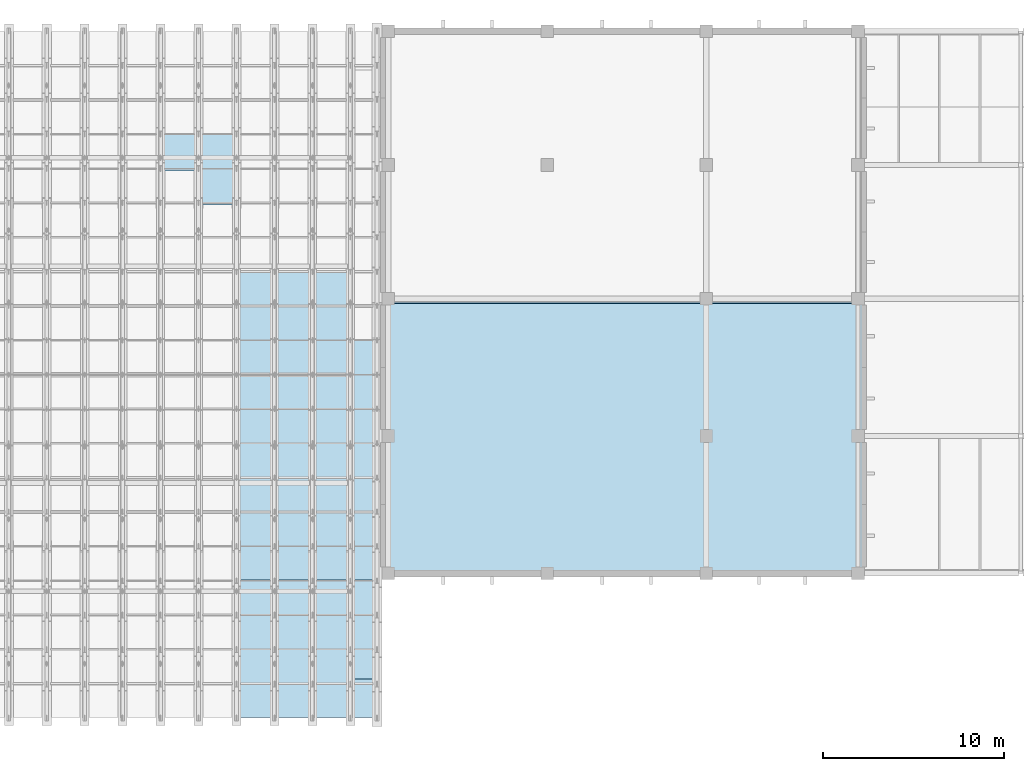
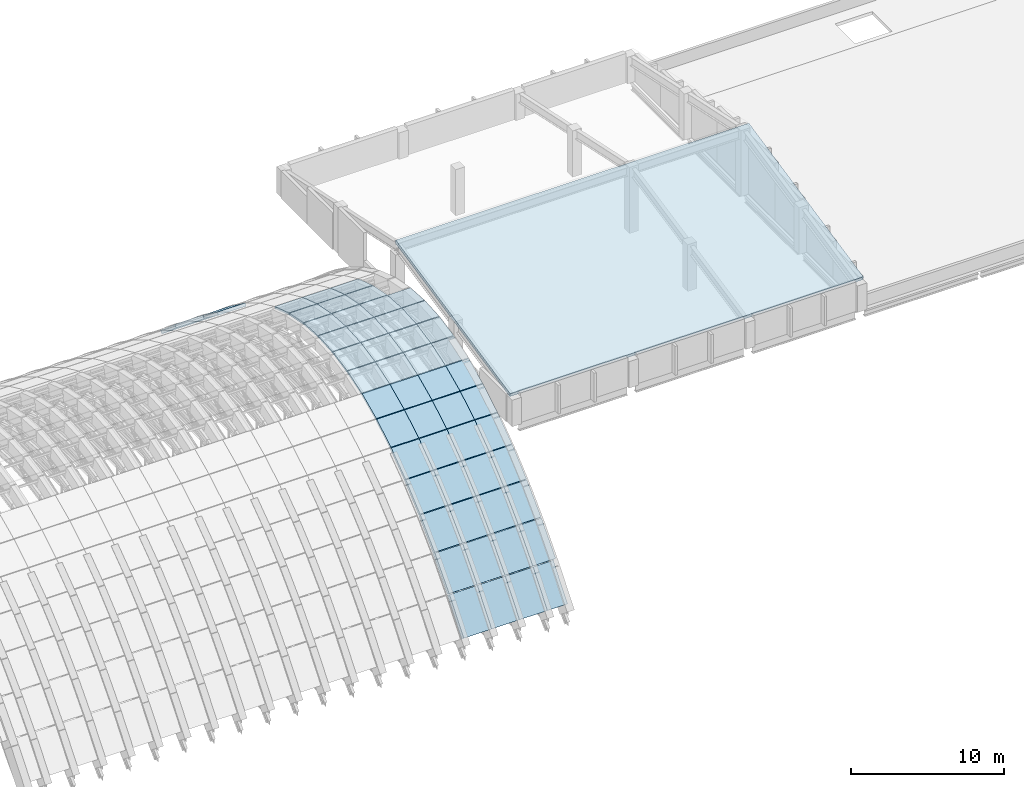
# One storey, part 55 of 67: 53 plates, 1 slab, 1 element without a shape of its own.
"""IFC4 building model written with IfcOpenShell, lengths in metres."""

from ifc_helpers import new_model, si_unit, direction, frame, origin, place, context, subcontext, project, spatial, polyline, outline, extrude, material, layer, layer_set, type_object, element, aggregate, save


model = new_model("IFC4")

# Units and contexts
model_context = context("Model", 3, precision=1e-05, world=origin(), true_north=direction((0.0, 1.0)))
body_context = subcontext(model_context, "Body", "Model", "MODEL_VIEW")
ifc_project = project(units=[si_unit("LENGTHUNIT", "METRE"), si_unit("AREAUNIT", "SQUARE_METRE"), si_unit("VOLUMEUNIT", "CUBIC_METRE"), si_unit("PLANEANGLEUNIT", "RADIAN"), si_unit("MASSUNIT", "GRAM", prefix="KILO")], contexts=[model_context])

# Site, building, storey
site_placement = place(None, origin())
site = spatial("IfcSite", under=ifc_project, at=site_placement, CompositionType="ELEMENT")
building_placement = place(site_placement, origin())
building = spatial("IfcBuilding", under=site, at=building_placement, Name="Shengluoqiao Park Theatre", CompositionType="ELEMENT")
storey_placement = place(building_placement, frame((0.0, 0.0, 28.60009765625)))
storey = spatial("IfcBuildingStorey", under=building, at=storey_placement, Name="Roof", CompositionType="ELEMENT", Elevation=28.60009765625)

# Roof, plates
ifc_material = material(Name="Concrete C50", Category="concrete")
roof_type = type_object("IfcRoofType", Name="STR-ROOF-BARREL", PredefinedType="BARREL_ROOF", material=ifc_material)
roof_placement = place(storey_placement, origin())
roof = element("IfcRoof", 1, at=roof_placement, inside=storey, type_object=roof_type, Name="Main Theatre Barrel-Vault Thin-Shell Roof", PredefinedType="BARREL_ROOF")
ifc_layer_1 = layer(ifc_material, 0.340087890625, Name="Concrete C50")
ifc_layer_set_1 = layer_set([ifc_layer_1], Name="Concrete C50")
plate_type_1 = type_object("IfcPlateType", Name="STR-SHP-SP-01", PredefinedType="USERDEFINED", material=ifc_layer_set_1)
plate_1_placement = place(storey_placement, frame((78.0, 76.01806640625, -9.376220703125), z_axis=(0.0, -0.783285756394, 0.621661824331), x_axis=(1.0, 0.0, 0.0)))
plate_1 = element("IfcPlate", 2, at=plate_1_placement, type_object=plate_type_1, Name="Barrel-Vault Shell Panel B17-S01", ObjectType="SHELL PANEL", PredefinedType="USERDEFINED", context=body_context, shape_type="SweptSolid", body=[
    extrude(outline(polyline([(0.0, 0.0), (2.10009765625, 0.0), (2.10009765625, 2.998436768866167), (0.0, 2.998436768866167), (0.0, 0.0)])), origin(), (0.0, 0.0, -1.0), 0.340087890625),
])
plate_2_placement = place(storey_placement, frame((80.10009765625, 76.01806640625, -9.376220703125), z_axis=(0.0, -0.783285756394, 0.621661824331), x_axis=(1.0, 0.0, 0.0)))
plate_2 = element("IfcPlate", 3, at=plate_2_placement, type_object=plate_type_1, Name="Barrel-Vault Shell Panel B18-S01", ObjectType="SHELL PANEL", PredefinedType="USERDEFINED", context=body_context, shape_type="SweptSolid", body=[
    extrude(outline(polyline([(0.0, 0.0), (2.099853515625, 0.0), (2.099853515625, 2.9984367688661675), (0.0, 2.9984367688661675), (0.0, 0.0)])), origin(), (0.0, 0.0, -1.0), 0.340087890625),
])
plate_3_placement = place(storey_placement, frame((82.199951171875, 76.01806640625, -9.376220703125), z_axis=(0.0, -0.783285756394, 0.621661824331), x_axis=(1.0, 0.0, 0.0)))
plate_3 = element("IfcPlate", 4, at=plate_3_placement, type_object=plate_type_1, Name="Barrel-Vault Shell Panel B19-S01", ObjectType="SHELL PANEL", PredefinedType="USERDEFINED", context=body_context, shape_type="SweptSolid", body=[
    extrude(outline(polyline([(0.0, 0.0), (2.10009765625, 0.0), (2.10009765625, 2.998436768866167), (0.0, 2.998436768866167), (0.0, 0.0)])), origin(), (0.0, 0.0, -1.0), 0.340087890625),
])
plate_4_placement = place(storey_placement, frame((84.300048828125, 76.01806640625, -9.376220703125), z_axis=(0.0, -0.783285756394, 0.621661824331), x_axis=(1.0, 0.0, 0.0)))
plate_4 = element("IfcPlate", 5, at=plate_4_placement, type_object=plate_type_1, Name="Barrel-Vault Shell Panel B20-S01", ObjectType="SHELL PANEL", PredefinedType="USERDEFINED", context=body_context, shape_type="SweptSolid", body=[
    extrude(outline(polyline([(0.0, 0.0), (1.52001953125, 0.0), (1.52001953125, 2.998436768866167), (0.0, 2.998436768866167), (0.0, 0.0)])), origin(), (0.0, 0.0, -1.0), 0.340087890625),
])
ifc_layer_2 = layer(ifc_material, 0.31005859375, Name="Concrete C50")
ifc_layer_set_2 = layer_set([ifc_layer_2], Name="Concrete C50")
plate_type_2 = type_object("IfcPlateType", Name="STR-SHP-SP-02", PredefinedType="USERDEFINED", material=ifc_layer_set_2)
plate_5_placement = place(storey_placement, frame((78.0, 77.91796875, -6.984619140625), z_axis=(0.0, -0.7480850773, 0.663602830857), x_axis=(1.0, 0.0, 0.0)))
plate_5 = element("IfcPlate", 6, at=plate_5_placement, type_object=plate_type_2, Name="Barrel-Vault Shell Panel B17-S02", ObjectType="SHELL PANEL", PredefinedType="USERDEFINED", context=body_context, shape_type="SweptSolid", body=[
    extrude(outline(polyline([(0.0, 0.0), (2.10009765625, 0.0), (2.10009765625, 2.808929656716836), (0.0, 2.808929656716836), (0.0, 0.0)])), origin(), (0.0, 0.0, -1.0), 0.31005859375),
])
plate_6_placement = place(storey_placement, frame((80.10009765625, 77.91796875, -6.984619140625), z_axis=(0.0, -0.7480850773, 0.663602830857), x_axis=(1.0, 0.0, 0.0)))
plate_6 = element("IfcPlate", 7, at=plate_6_placement, type_object=plate_type_2, Name="Barrel-Vault Shell Panel B18-S02", ObjectType="SHELL PANEL", PredefinedType="USERDEFINED", context=body_context, shape_type="SweptSolid", body=[
    extrude(outline(polyline([(0.0, 0.0), (2.099853515625, 0.0), (2.099853515625, 2.8089296567168356), (0.0, 2.8089296567168356), (0.0, 0.0)])), origin(), (0.0, 0.0, -1.0), 0.31005859375),
])
plate_7_placement = place(storey_placement, frame((82.199951171875, 77.91796875, -6.984619140625), z_axis=(0.0, -0.7480850773, 0.663602830857), x_axis=(1.0, 0.0, 0.0)))
plate_7 = element("IfcPlate", 8, at=plate_7_placement, type_object=plate_type_2, Name="Barrel-Vault Shell Panel B19-S02", ObjectType="SHELL PANEL", PredefinedType="USERDEFINED", context=body_context, shape_type="SweptSolid", body=[
    extrude(outline(polyline([(0.0, 0.0), (2.10009765625, 0.0), (2.10009765625, 2.808929656716836), (0.0, 2.808929656716836), (0.0, 0.0)])), origin(), (0.0, 0.0, -1.0), 0.31005859375),
])
plate_8_placement = place(storey_placement, frame((84.300048828125, 77.91796875, -6.984619140625), z_axis=(0.0, -0.7480850773, 0.663602830857), x_axis=(1.0, 0.0, 0.0)))
plate_8 = element("IfcPlate", 9, at=plate_8_placement, type_object=plate_type_2, Name="Barrel-Vault Shell Panel B20-S02", ObjectType="SHELL PANEL", PredefinedType="USERDEFINED", context=body_context, shape_type="SweptSolid", body=[
    extrude(outline(polyline([(0.0, 0.0), (1.719970703125, 0.0), (1.719970703125, 2.8089296567168365), (0.0, 2.8089296567168365), (0.0, 0.0)])), origin(), (0.0, 0.0, -1.0), 0.31005859375),
])
ifc_layer_3 = layer(ifc_material, 0.280029296875, Name="Concrete C50")
ifc_layer_set_3 = layer_set([ifc_layer_3], Name="Concrete C50")
plate_type_3 = type_object("IfcPlateType", Name="STR-SHP-SP-03", PredefinedType="USERDEFINED", material=ifc_layer_set_3)
plate_9_placement = place(storey_placement, frame((78.0, 79.818115234375, -4.844970703125), z_axis=(0.0, -0.705293636194, 0.708915288835), x_axis=(1.0, 0.0, 0.0)))
plate_9 = element("IfcPlate", 10, at=plate_9_placement, type_object=plate_type_3, Name="Barrel-Vault Shell Panel B17-S03", ObjectType="SHELL PANEL", PredefinedType="USERDEFINED", context=body_context, shape_type="SweptSolid", body=[
    extrude(outline(polyline([(0.0, 0.0), (2.10009765625, 0.0), (2.10009765625, 2.629044062954365), (0.0, 2.629044062954365), (0.0, 0.0)])), origin(), (0.0, 0.0, -1.0), 0.280029296875),
])
plate_10_placement = place(storey_placement, frame((80.10009765625, 79.818115234375, -4.844970703125), z_axis=(0.0, -0.705293636194, 0.708915288835), x_axis=(1.0, 0.0, 0.0)))
plate_10 = element("IfcPlate", 11, at=plate_10_placement, type_object=plate_type_3, Name="Barrel-Vault Shell Panel B18-S03", ObjectType="SHELL PANEL", PredefinedType="USERDEFINED", context=body_context, shape_type="SweptSolid", body=[
    extrude(outline(polyline([(0.0, 0.0), (2.099853515625, 0.0), (2.099853515625, 2.629044062954365), (0.0, 2.629044062954365), (0.0, 0.0)])), origin(), (0.0, 0.0, -1.0), 0.280029296875),
])
plate_11_placement = place(storey_placement, frame((82.199951171875, 79.818115234375, -4.844970703125), z_axis=(0.0, -0.705293636194, 0.708915288835), x_axis=(1.0, 0.0, 0.0)))
plate_11 = element("IfcPlate", 12, at=plate_11_placement, type_object=plate_type_3, Name="Barrel-Vault Shell Panel B19-S03", ObjectType="SHELL PANEL", PredefinedType="USERDEFINED", context=body_context, shape_type="SweptSolid", body=[
    extrude(outline(polyline([(0.0, 0.0), (2.10009765625, 0.0), (2.10009765625, 2.629044062954365), (0.0, 2.629044062954365), (0.0, 0.0)])), origin(), (0.0, 0.0, -1.0), 0.280029296875),
])
plate_12_placement = place(storey_placement, frame((84.300048828125, 79.818115234375, -4.844970703125), z_axis=(0.0, -0.705293636194, 0.708915288835), x_axis=(1.0, 0.0, 0.0)))
plate_12 = element("IfcPlate", 13, at=plate_12_placement, type_object=plate_type_3, Name="Barrel-Vault Shell Panel B20-S03", ObjectType="SHELL PANEL", PredefinedType="USERDEFINED", context=body_context, shape_type="SweptSolid", body=[
    extrude(outline(polyline([(0.0, 0.0), (1.719970703125, 0.0), (1.719970703125, 2.6290440629543657), (0.0, 2.6290440629543657), (0.0, 0.0)])), origin(), (0.0, 0.0, -1.0), 0.280029296875),
])
ifc_layer_4 = layer(ifc_material, 0.25, Name="Concrete C50")
ifc_layer_set_4 = layer_set([ifc_layer_4], Name="Concrete C50")
plate_type_4 = type_object("IfcPlateType", Name="STR-SHP-SP-04", PredefinedType="USERDEFINED", material=ifc_layer_set_4)
plate_13_placement = place(storey_placement, frame((73.800048828125, 106.41796875, -1.350341796875), z_axis=(0.0, 0.653002411915, 0.757355827886), x_axis=(1.0, 0.0, 0.0)))
plate_13 = element("IfcPlate", 14, at=plate_13_placement, type_object=plate_type_4, Name="Barrel-Vault Shell Panel B15-S17", ObjectType="SHELL PANEL", PredefinedType="USERDEFINED", context=body_context, shape_type="SweptSolid", body=[
    extrude(outline(polyline([(0.0, 0.0), (2.099853515625, 0.0), (2.099853515625, 2.461212554577048), (0.0, 2.461212554577048), (0.0, 0.0)])), origin(), (0.0, 0.0, -1.0), 0.25),
])
plate_14_placement = place(storey_placement, frame((75.89990234375, 106.41796875, -1.350341796875), z_axis=(0.0, 0.653002411915, 0.757355827886), x_axis=(1.0, 0.0, 0.0)))
plate_14 = element("IfcPlate", 15, at=plate_14_placement, type_object=plate_type_4, Name="Barrel-Vault Shell Panel B16-S17", ObjectType="SHELL PANEL", PredefinedType="USERDEFINED", context=body_context, shape_type="SweptSolid", body=[
    extrude(outline(polyline([(0.0, 0.0), (2.10009765625, 0.0), (2.10009765625, 2.461212554577048), (0.0, 2.461212554577048), (0.0, 0.0)])), origin(), (0.0, 0.0, -1.0), 0.25),
])
plate_15_placement = place(storey_placement, frame((78.0, 81.718017578125, -2.95751953125), z_axis=(0.0, -0.653002411915, 0.757355827886), x_axis=(1.0, 0.0, 0.0)))
plate_15 = element("IfcPlate", 16, at=plate_15_placement, type_object=plate_type_4, Name="Barrel-Vault Shell Panel B17-S04", ObjectType="SHELL PANEL", PredefinedType="USERDEFINED", context=body_context, shape_type="SweptSolid", body=[
    extrude(outline(polyline([(0.0, 0.0), (2.10009765625, 0.0), (2.10009765625, 2.461212554577048), (0.0, 2.461212554577048), (0.0, 0.0)])), origin(), (0.0, 0.0, -1.0), 0.25),
])
plate_16_placement = place(storey_placement, frame((80.10009765625, 81.718017578125, -2.95751953125), z_axis=(0.0, -0.653002411915, 0.757355827886), x_axis=(1.0, 0.0, 0.0)))
plate_16 = element("IfcPlate", 17, at=plate_16_placement, type_object=plate_type_4, Name="Barrel-Vault Shell Panel B18-S04", ObjectType="SHELL PANEL", PredefinedType="USERDEFINED", context=body_context, shape_type="SweptSolid", body=[
    extrude(outline(polyline([(0.0, 0.0), (2.099853515625, 0.0), (2.099853515625, 2.461212554577048), (0.0, 2.461212554577048), (0.0, 0.0)])), origin(), (0.0, 0.0, -1.0), 0.25),
])
plate_17_placement = place(storey_placement, frame((82.199951171875, 81.718017578125, -2.95751953125), z_axis=(0.0, -0.653002411915, 0.757355827886), x_axis=(1.0, 0.0, 0.0)))
plate_17 = element("IfcPlate", 18, at=plate_17_placement, type_object=plate_type_4, Name="Barrel-Vault Shell Panel B19-S04", ObjectType="SHELL PANEL", PredefinedType="USERDEFINED", context=body_context, shape_type="SweptSolid", body=[
    extrude(outline(polyline([(0.0, 0.0), (2.10009765625, 0.0), (2.10009765625, 2.461212554577048), (0.0, 2.461212554577048), (0.0, 0.0)])), origin(), (0.0, 0.0, -1.0), 0.25),
])
plate_18_placement = place(storey_placement, frame((84.300048828125, 81.718017578125, -2.95751953125), z_axis=(0.0, -0.653002411915, 0.757355827886), x_axis=(1.0, 0.0, 0.0)))
plate_18 = element("IfcPlate", 19, at=plate_18_placement, type_object=plate_type_4, Name="Barrel-Vault Shell Panel B20-S04", ObjectType="SHELL PANEL", PredefinedType="USERDEFINED", context=body_context, shape_type="SweptSolid", body=[
    extrude(outline(polyline([(0.0, 0.0), (1.719970703125, 0.0), (1.719970703125, 2.4612125545770476), (0.0, 2.4612125545770476), (0.0, 0.0)])), origin(), (0.0, 0.0, -1.0), 0.25),
])
ifc_layer_5 = layer(ifc_material, 0.219970703125, Name="Concrete C50")
ifc_layer_set_5 = layer_set([ifc_layer_5], Name="Concrete C50")
plate_type_5 = type_object("IfcPlateType", Name="STR-SHP-SP-05", PredefinedType="USERDEFINED", material=ifc_layer_set_5)
plate_19_placement = place(storey_placement, frame((75.89990234375, 104.51806640625, 0.037841796875), z_axis=(0.0, 0.589297368188, 0.807916215858), x_axis=(1.0, 0.0, 0.0)))
plate_19 = element("IfcPlate", 20, at=plate_19_placement, type_object=plate_type_5, Name="Barrel-Vault Shell Panel B16-S16", ObjectType="SHELL PANEL", PredefinedType="USERDEFINED", context=body_context, shape_type="SweptSolid", body=[
    extrude(outline(polyline([(0.0, 0.0), (2.10009765625, 0.0), (2.10009765625, 2.307186853397614), (0.0, 2.307186853397614), (0.0, 0.0)])), origin(), (0.0, 0.0, -1.0), 0.219970703125),
])
plate_20_placement = place(storey_placement, frame((78.0, 83.617919921875, -1.32177734375), z_axis=(0.0, -0.589297368188, 0.807916215858), x_axis=(1.0, 0.0, 0.0)))
plate_20 = element("IfcPlate", 21, at=plate_20_placement, type_object=plate_type_5, Name="Barrel-Vault Shell Panel B17-S05", ObjectType="SHELL PANEL", PredefinedType="USERDEFINED", context=body_context, shape_type="SweptSolid", body=[
    extrude(outline(polyline([(0.0, 0.0), (2.10009765625, 0.0), (2.10009765625, 2.307186853397614), (0.0, 2.307186853397614), (0.0, 0.0)])), origin(), (0.0, 0.0, -1.0), 0.219970703125),
])
plate_21_placement = place(storey_placement, frame((80.10009765625, 83.617919921875, -1.32177734375), z_axis=(0.0, -0.589297368188, 0.807916215858), x_axis=(1.0, 0.0, 0.0)))
plate_21 = element("IfcPlate", 22, at=plate_21_placement, type_object=plate_type_5, Name="Barrel-Vault Shell Panel B18-S05", ObjectType="SHELL PANEL", PredefinedType="USERDEFINED", context=body_context, shape_type="SweptSolid", body=[
    extrude(outline(polyline([(0.0, 0.0), (2.099853515625, 0.0), (2.099853515625, 2.307186853397614), (0.0, 2.307186853397614), (0.0, 0.0)])), origin(), (0.0, 0.0, -1.0), 0.219970703125),
])
plate_22_placement = place(storey_placement, frame((82.199951171875, 83.617919921875, -1.32177734375), z_axis=(0.0, -0.589297368188, 0.807916215858), x_axis=(1.0, 0.0, 0.0)))
plate_22 = element("IfcPlate", 23, at=plate_22_placement, type_object=plate_type_5, Name="Barrel-Vault Shell Panel B19-S05", ObjectType="SHELL PANEL", PredefinedType="USERDEFINED", context=body_context, shape_type="SweptSolid", body=[
    extrude(outline(polyline([(0.0, 0.0), (2.10009765625, 0.0), (2.10009765625, 2.307186853397614), (0.0, 2.307186853397614), (0.0, 0.0)])), origin(), (0.0, 0.0, -1.0), 0.219970703125),
])
plate_23_placement = place(storey_placement, frame((84.300048828125, 83.617919921875, -1.32177734375), z_axis=(0.0, -0.589297368188, 0.807916215858), x_axis=(1.0, 0.0, 0.0)))
plate_23 = element("IfcPlate", 24, at=plate_23_placement, type_object=plate_type_5, Name="Barrel-Vault Shell Panel B20-S05", ObjectType="SHELL PANEL", PredefinedType="USERDEFINED", context=body_context, shape_type="SweptSolid", body=[
    extrude(outline(polyline([(0.0, 0.0), (1.719970703125, 0.0), (1.719970703125, 2.307186853397614), (0.0, 2.307186853397614), (0.0, 0.0)])), origin(), (0.0, 0.0, -1.0), 0.219970703125),
])
ifc_layer_6 = layer(ifc_material, 0.199951171875, Name="Concrete C50")
ifc_layer_set_6 = layer_set([ifc_layer_6], Name="Concrete C50")
plate_type_6 = type_object("IfcPlateType", Name="STR-SHP-SP-06", PredefinedType="USERDEFINED", material=ifc_layer_set_6)
plate_24_placement = place(storey_placement, frame((78.0, 85.51806640625, 0.061767578125), z_axis=(0.0, -0.512509675023, 0.858681450253), x_axis=(1.0, 0.0, 0.0)))
plate_24 = element("IfcPlate", 25, at=plate_24_placement, type_object=plate_type_6, Name="Barrel-Vault Shell Panel B17-S06", ObjectType="SHELL PANEL", PredefinedType="USERDEFINED", context=body_context, shape_type="SweptSolid", body=[
    extrude(outline(polyline([(0.0, 0.0), (2.10009765625, 0.0), (2.10009765625, 2.1707860014057654), (0.0, 2.1707860014057654), (0.0, 0.0)])), origin(), (0.0, 0.0, -1.0), 0.199951171875),
])
plate_25_placement = place(storey_placement, frame((80.10009765625, 85.51806640625, 0.061767578125), z_axis=(0.0, -0.512509675023, 0.858681450253), x_axis=(1.0, 0.0, 0.0)))
plate_25 = element("IfcPlate", 26, at=plate_25_placement, type_object=plate_type_6, Name="Barrel-Vault Shell Panel B18-S06", ObjectType="SHELL PANEL", PredefinedType="USERDEFINED", context=body_context, shape_type="SweptSolid", body=[
    extrude(outline(polyline([(0.0, 0.0), (2.099853515625, 0.0), (2.099853515625, 2.1707860014057654), (0.0, 2.1707860014057654), (0.0, 0.0)])), origin(), (0.0, 0.0, -1.0), 0.199951171875),
])
plate_26_placement = place(storey_placement, frame((82.199951171875, 85.51806640625, 0.061767578125), z_axis=(0.0, -0.512509675023, 0.858681450253), x_axis=(1.0, 0.0, 0.0)))
plate_26 = element("IfcPlate", 27, at=plate_26_placement, type_object=plate_type_6, Name="Barrel-Vault Shell Panel B19-S06", ObjectType="SHELL PANEL", PredefinedType="USERDEFINED", context=body_context, shape_type="SweptSolid", body=[
    extrude(outline(polyline([(0.0, 0.0), (2.10009765625, 0.0), (2.10009765625, 2.1707860014057654), (0.0, 2.1707860014057654), (0.0, 0.0)])), origin(), (0.0, 0.0, -1.0), 0.199951171875),
])
plate_27_placement = place(storey_placement, frame((84.300048828125, 85.51806640625, 0.061767578125), z_axis=(0.0, -0.512509675023, 0.858681450253), x_axis=(1.0, 0.0, 0.0)))
plate_27 = element("IfcPlate", 28, at=plate_27_placement, type_object=plate_type_6, Name="Barrel-Vault Shell Panel B20-S06", ObjectType="SHELL PANEL", PredefinedType="USERDEFINED", context=body_context, shape_type="SweptSolid", body=[
    extrude(outline(polyline([(0.0, 0.0), (1.719970703125, 0.0), (1.719970703125, 2.1707860014057654), (0.0, 2.1707860014057654), (0.0, 0.0)])), origin(), (0.0, 0.0, -1.0), 0.199951171875),
])
ifc_layer_7 = layer(ifc_material, 0.179931640625, Name="Concrete C50")
ifc_layer_set_7 = layer_set([ifc_layer_7], Name="Concrete C50")
plate_type_7 = type_object("IfcPlateType", Name="STR-SHP-SP-07", PredefinedType="USERDEFINED", material=ifc_layer_set_7)
plate_28_placement = place(storey_placement, frame((78.0, 87.41796875, 1.193359375), z_axis=(0.0, -0.421128757918, 0.907000865079), x_axis=(1.0, 0.0, 0.0)))
plate_28 = element("IfcPlate", 29, at=plate_28_placement, type_object=plate_type_7, Name="Barrel-Vault Shell Panel B17-S07", ObjectType="SHELL PANEL", PredefinedType="USERDEFINED", context=body_context, shape_type="SweptSolid", body=[
    extrude(outline(polyline([(0.0, 0.0), (2.10009765625, 0.0), (2.10009765625, 2.0551399051999777), (0.0, 2.0551399051999777), (0.0, 0.0)])), origin(), (0.0, 0.0, -1.0), 0.179931640625),
])
plate_29_placement = place(storey_placement, frame((80.10009765625, 87.41796875, 1.193359375), z_axis=(0.0, -0.421128757918, 0.907000865079), x_axis=(1.0, 0.0, 0.0)))
plate_29 = element("IfcPlate", 30, at=plate_29_placement, type_object=plate_type_7, Name="Barrel-Vault Shell Panel B18-S07", ObjectType="SHELL PANEL", PredefinedType="USERDEFINED", context=body_context, shape_type="SweptSolid", body=[
    extrude(outline(polyline([(0.0, 0.0), (2.099853515625, 0.0), (2.099853515625, 2.055139905199978), (0.0, 2.055139905199978), (0.0, 0.0)])), origin(), (0.0, 0.0, -1.0), 0.179931640625),
])
plate_30_placement = place(storey_placement, frame((82.199951171875, 87.41796875, 1.193359375), z_axis=(0.0, -0.421128757918, 0.907000865079), x_axis=(1.0, 0.0, 0.0)))
plate_30 = element("IfcPlate", 31, at=plate_30_placement, type_object=plate_type_7, Name="Barrel-Vault Shell Panel B19-S07", ObjectType="SHELL PANEL", PredefinedType="USERDEFINED", context=body_context, shape_type="SweptSolid", body=[
    extrude(outline(polyline([(0.0, 0.0), (2.10009765625, 0.0), (2.10009765625, 2.0551399051999777), (0.0, 2.0551399051999777), (0.0, 0.0)])), origin(), (0.0, 0.0, -1.0), 0.179931640625),
])
plate_31_placement = place(storey_placement, frame((84.300048828125, 87.41796875, 1.193359375), z_axis=(0.0, -0.421128757918, 0.907000865079), x_axis=(1.0, 0.0, 0.0)))
plate_31 = element("IfcPlate", 32, at=plate_31_placement, type_object=plate_type_7, Name="Barrel-Vault Shell Panel B20-S07", ObjectType="SHELL PANEL", PredefinedType="USERDEFINED", context=body_context, shape_type="SweptSolid", body=[
    extrude(outline(polyline([(0.0, 0.0), (1.719970703125, 0.0), (1.719970703125, 2.055139905199978), (0.0, 2.055139905199978), (0.0, 0.0)])), origin(), (0.0, 0.0, -1.0), 0.179931640625),
])
ifc_layer_8 = layer(ifc_material, 0.169921875, Name="Concrete C50")
ifc_layer_set_8 = layer_set([ifc_layer_8], Name="Concrete C50")
plate_type_8 = type_object("IfcPlateType", Name="STR-SHP-SP-08", PredefinedType="USERDEFINED", material=ifc_layer_set_8)
plate_32_placement = place(storey_placement, frame((78.0, 89.318115234375, 2.072998046875), z_axis=(0.0, -0.314810021978, 0.949154702913), x_axis=(1.0, 0.0, 0.0)))
plate_32 = element("IfcPlate", 33, at=plate_32_placement, type_object=plate_type_8, Name="Barrel-Vault Shell Panel B17-S08", ObjectType="SHELL PANEL", PredefinedType="USERDEFINED", context=body_context, shape_type="SweptSolid", body=[
    extrude(outline(polyline([(0.0, 0.0), (2.10009765625, 0.0), (2.10009765625, 1.9636098578338692), (0.0, 1.9636098578338692), (0.0, 0.0)])), origin(), (0.0, 0.0, -1.0), 0.169921875),
])
plate_33_placement = place(storey_placement, frame((78.0, 98.818115234375, 2.691162109375), z_axis=(0.0, 0.314810021978, 0.949154702913), x_axis=(1.0, 0.0, 0.0)))
plate_33 = element("IfcPlate", 34, at=plate_33_placement, type_object=plate_type_8, Name="Barrel-Vault Shell Panel B17-S13", ObjectType="SHELL PANEL", PredefinedType="USERDEFINED", context=body_context, shape_type="SweptSolid", body=[
    extrude(outline(polyline([(0.0, 0.0), (2.10009765625, 0.0), (2.10009765625, 1.9636098578338692), (0.0, 1.9636098578338692), (0.0, 0.0)])), origin(), (0.0, 0.0, -1.0), 0.169921875),
])
plate_34_placement = place(storey_placement, frame((80.10009765625, 89.318115234375, 2.072998046875), z_axis=(0.0, -0.314810021978, 0.949154702913), x_axis=(1.0, 0.0, 0.0)))
plate_34 = element("IfcPlate", 35, at=plate_34_placement, type_object=plate_type_8, Name="Barrel-Vault Shell Panel B18-S08", ObjectType="SHELL PANEL", PredefinedType="USERDEFINED", context=body_context, shape_type="SweptSolid", body=[
    extrude(outline(polyline([(0.0, 0.0), (2.099853515625, 0.0), (2.099853515625, 1.9636098578338692), (0.0, 1.9636098578338692), (0.0, 0.0)])), origin(), (0.0, 0.0, -1.0), 0.169921875),
])
plate_35_placement = place(storey_placement, frame((80.10009765625, 98.818115234375, 2.691162109375), z_axis=(0.0, 0.314810021978, 0.949154702913), x_axis=(1.0, 0.0, 0.0)))
plate_35 = element("IfcPlate", 36, at=plate_35_placement, type_object=plate_type_8, Name="Barrel-Vault Shell Panel B18-S13", ObjectType="SHELL PANEL", PredefinedType="USERDEFINED", context=body_context, shape_type="SweptSolid", body=[
    extrude(outline(polyline([(0.0, 0.0), (2.099853515625, 0.0), (2.099853515625, 1.9636098578338692), (0.0, 1.9636098578338692), (0.0, 0.0)])), origin(), (0.0, 0.0, -1.0), 0.169921875),
])
plate_36_placement = place(storey_placement, frame((82.199951171875, 89.318115234375, 2.072998046875), z_axis=(0.0, -0.314810021978, 0.949154702913), x_axis=(1.0, 0.0, 0.0)))
plate_36 = element("IfcPlate", 37, at=plate_36_placement, type_object=plate_type_8, Name="Barrel-Vault Shell Panel B19-S08", ObjectType="SHELL PANEL", PredefinedType="USERDEFINED", context=body_context, shape_type="SweptSolid", body=[
    extrude(outline(polyline([(0.0, 0.0), (2.10009765625, 0.0), (2.10009765625, 1.9636098578338692), (0.0, 1.9636098578338692), (0.0, 0.0)])), origin(), (0.0, 0.0, -1.0), 0.169921875),
])
plate_37_placement = place(storey_placement, frame((82.199951171875, 98.818115234375, 2.691162109375), z_axis=(0.0, 0.314810021978, 0.949154702913), x_axis=(1.0, 0.0, 0.0)))
plate_37 = element("IfcPlate", 38, at=plate_37_placement, type_object=plate_type_8, Name="Barrel-Vault Shell Panel B19-S13", ObjectType="SHELL PANEL", PredefinedType="USERDEFINED", context=body_context, shape_type="SweptSolid", body=[
    extrude(outline(polyline([(0.0, 0.0), (2.10009765625, 0.0), (2.10009765625, 1.9636098578338692), (0.0, 1.9636098578338692), (0.0, 0.0)])), origin(), (0.0, 0.0, -1.0), 0.169921875),
])
plate_38_placement = place(storey_placement, frame((84.300048828125, 89.318115234375, 2.072998046875), z_axis=(0.0, -0.314810021978, 0.949154702913), x_axis=(1.0, 0.0, 0.0)))
plate_38 = element("IfcPlate", 39, at=plate_38_placement, type_object=plate_type_8, Name="Barrel-Vault Shell Panel B20-S08", ObjectType="SHELL PANEL", PredefinedType="USERDEFINED", context=body_context, shape_type="SweptSolid", body=[
    extrude(outline(polyline([(0.0, 0.0), (1.719970703125, 0.0), (1.719970703125, 1.9636098578338692), (0.0, 1.9636098578338692), (0.0, 0.0)])), origin(), (0.0, 0.0, -1.0), 0.169921875),
])
ifc_layer_9 = layer(ifc_material, 0.14990234375, Name="Concrete C50")
ifc_layer_set_9 = layer_set([ifc_layer_9], Name="Concrete C50")
plate_type_9 = type_object("IfcPlateType", Name="STR-SHP-SP-09", PredefinedType="USERDEFINED", material=ifc_layer_set_9)
plate_39_placement = place(storey_placement, frame((78.0, 91.218017578125, 2.70068359375), z_axis=(0.0, -0.195127896118, 0.980777805701), x_axis=(1.0, 0.0, 0.0)))
plate_39 = element("IfcPlate", 40, at=plate_39_placement, type_object=plate_type_9, Name="Barrel-Vault Shell Panel B17-S09", ObjectType="SHELL PANEL", PredefinedType="USERDEFINED", context=body_context, shape_type="SweptSolid", body=[
    extrude(outline(polyline([(0.0, 0.0), (2.10009765625, 0.0), (2.10009765625, 1.9005463429526022), (0.0, 1.9005463429526022), (0.0, 0.0)])), origin(), (0.0, 0.0, -1.0), 0.14990234375),
])
plate_40_placement = place(storey_placement, frame((78.0, 96.91796875, 3.071533203125), z_axis=(0.0, 0.195127896118, 0.980777805701), x_axis=(1.0, 0.0, 0.0)))
plate_40 = element("IfcPlate", 41, at=plate_40_placement, type_object=plate_type_9, Name="Barrel-Vault Shell Panel B17-S12", ObjectType="SHELL PANEL", PredefinedType="USERDEFINED", context=body_context, shape_type="SweptSolid", body=[
    extrude(outline(polyline([(0.0, 0.0), (2.10009765625, 0.0), (2.10009765625, 1.9005463429526022), (0.0, 1.9005463429526022), (0.0, 0.0)])), origin(), (0.0, 0.0, -1.0), 0.14990234375),
])
plate_41_placement = place(storey_placement, frame((80.10009765625, 91.218017578125, 2.70068359375), z_axis=(0.0, -0.195127896118, 0.980777805701), x_axis=(1.0, 0.0, 0.0)))
plate_41 = element("IfcPlate", 42, at=plate_41_placement, type_object=plate_type_9, Name="Barrel-Vault Shell Panel B18-S09", ObjectType="SHELL PANEL", PredefinedType="USERDEFINED", context=body_context, shape_type="SweptSolid", body=[
    extrude(outline(polyline([(0.0, 0.0), (2.099853515625, 0.0), (2.099853515625, 1.9005463429526024), (0.0, 1.9005463429526024), (0.0, 0.0)])), origin(), (0.0, 0.0, -1.0), 0.14990234375),
])
plate_42_placement = place(storey_placement, frame((80.10009765625, 96.91796875, 3.071533203125), z_axis=(0.0, 0.195127896118, 0.980777805701), x_axis=(1.0, 0.0, 0.0)))
plate_42 = element("IfcPlate", 43, at=plate_42_placement, type_object=plate_type_9, Name="Barrel-Vault Shell Panel B18-S12", ObjectType="SHELL PANEL", PredefinedType="USERDEFINED", context=body_context, shape_type="SweptSolid", body=[
    extrude(outline(polyline([(0.0, 0.0), (2.099853515625, 0.0), (2.099853515625, 1.9005463429526024), (0.0, 1.9005463429526024), (0.0, 0.0)])), origin(), (0.0, 0.0, -1.0), 0.14990234375),
])
plate_43_placement = place(storey_placement, frame((82.199951171875, 91.218017578125, 2.70068359375), z_axis=(0.0, -0.195127896118, 0.980777805701), x_axis=(1.0, 0.0, 0.0)))
plate_43 = element("IfcPlate", 44, at=plate_43_placement, type_object=plate_type_9, Name="Barrel-Vault Shell Panel B19-S09", ObjectType="SHELL PANEL", PredefinedType="USERDEFINED", context=body_context, shape_type="SweptSolid", body=[
    extrude(outline(polyline([(0.0, 0.0), (2.10009765625, 0.0), (2.10009765625, 1.9005463429526022), (0.0, 1.9005463429526022), (0.0, 0.0)])), origin(), (0.0, 0.0, -1.0), 0.14990234375),
])
plate_44_placement = place(storey_placement, frame((82.199951171875, 96.91796875, 3.071533203125), z_axis=(0.0, 0.195127896118, 0.980777805701), x_axis=(1.0, 0.0, 0.0)))
plate_44 = element("IfcPlate", 45, at=plate_44_placement, type_object=plate_type_9, Name="Barrel-Vault Shell Panel B19-S12", ObjectType="SHELL PANEL", PredefinedType="USERDEFINED", context=body_context, shape_type="SweptSolid", body=[
    extrude(outline(polyline([(0.0, 0.0), (2.10009765625, 0.0), (2.10009765625, 1.9005463429526022), (0.0, 1.9005463429526022), (0.0, 0.0)])), origin(), (0.0, 0.0, -1.0), 0.14990234375),
])
plate_45_placement = place(storey_placement, frame((84.300048828125, 91.218017578125, 2.70068359375), z_axis=(0.0, -0.195127896118, 0.980777805701), x_axis=(1.0, 0.0, 0.0)))
plate_45 = element("IfcPlate", 46, at=plate_45_placement, type_object=plate_type_9, Name="Barrel-Vault Shell Panel B20-S09", ObjectType="SHELL PANEL", PredefinedType="USERDEFINED", context=body_context, shape_type="SweptSolid", body=[
    extrude(outline(polyline([(0.0, 0.0), (1.719970703125, 0.0), (1.719970703125, 1.9005463429526024), (0.0, 1.9005463429526024), (0.0, 0.0)])), origin(), (0.0, 0.0, -1.0), 0.14990234375),
])
ifc_layer_10 = layer(ifc_material, 0.139892578125, Name="Concrete C50")
ifc_layer_set_10 = layer_set([ifc_layer_10], Name="Concrete C50")
plate_type_10 = type_object("IfcPlateType", Name="STR-SHP-SP-10", PredefinedType="USERDEFINED", material=ifc_layer_set_10)
plate_46_placement = place(storey_placement, frame((78.0, 93.117919921875, 3.076171875), z_axis=(0.0, -0.066258788899, 0.997802471882), x_axis=(1.0, 0.0, 0.0)))
plate_46 = element("IfcPlate", 47, at=plate_46_placement, type_object=plate_type_10, Name="Barrel-Vault Shell Panel B17-S10", ObjectType="SHELL PANEL", PredefinedType="USERDEFINED", context=body_context, shape_type="SweptSolid", body=[
    extrude(outline(polyline([(0.0, 0.0), (2.10009765625, 0.0), (2.10009765625, 1.8681189157202462), (0.0, 1.8681189157202462), (0.0, 0.0)])), origin(), (0.0, 0.0, -1.0), 0.139892578125),
])
plate_47_placement = place(storey_placement, frame((78.0, 95.01806640625, 3.199951171875), z_axis=(0.0, 0.066258788899, 0.997802471882), x_axis=(1.0, 0.0, 0.0)))
plate_47 = element("IfcPlate", 48, at=plate_47_placement, type_object=plate_type_10, Name="Barrel-Vault Shell Panel B17-S11", ObjectType="SHELL PANEL", PredefinedType="USERDEFINED", context=body_context, shape_type="SweptSolid", body=[
    extrude(outline(polyline([(0.0, 0.0), (2.10009765625, 0.0), (2.10009765625, 1.8681189157202462), (0.0, 1.8681189157202462), (0.0, 0.0)])), origin(), (0.0, 0.0, -1.0), 0.139892578125),
])
plate_48_placement = place(storey_placement, frame((80.10009765625, 93.117919921875, 3.076171875), z_axis=(0.0, -0.066258788899, 0.997802471882), x_axis=(1.0, 0.0, 0.0)))
plate_48 = element("IfcPlate", 49, at=plate_48_placement, type_object=plate_type_10, Name="Barrel-Vault Shell Panel B18-S10", ObjectType="SHELL PANEL", PredefinedType="USERDEFINED", context=body_context, shape_type="SweptSolid", body=[
    extrude(outline(polyline([(0.0, 0.0), (2.099853515625, 0.0), (2.099853515625, 1.8681189157202465), (0.0, 1.8681189157202465), (0.0, 0.0)])), origin(), (0.0, 0.0, -1.0), 0.139892578125),
])
plate_49_placement = place(storey_placement, frame((80.10009765625, 95.01806640625, 3.199951171875), z_axis=(0.0, 0.066258788899, 0.997802471882), x_axis=(1.0, 0.0, 0.0)))
plate_49 = element("IfcPlate", 50, at=plate_49_placement, type_object=plate_type_10, Name="Barrel-Vault Shell Panel B18-S11", ObjectType="SHELL PANEL", PredefinedType="USERDEFINED", context=body_context, shape_type="SweptSolid", body=[
    extrude(outline(polyline([(0.0, 0.0), (2.099853515625, 0.0), (2.099853515625, 1.8681189157202465), (0.0, 1.8681189157202465), (0.0, 0.0)])), origin(), (0.0, 0.0, -1.0), 0.139892578125),
])
plate_50_placement = place(storey_placement, frame((82.199951171875, 93.117919921875, 3.076171875), z_axis=(0.0, -0.066258788899, 0.997802471882), x_axis=(1.0, 0.0, 0.0)))
plate_50 = element("IfcPlate", 51, at=plate_50_placement, type_object=plate_type_10, Name="Barrel-Vault Shell Panel B19-S10", ObjectType="SHELL PANEL", PredefinedType="USERDEFINED", context=body_context, shape_type="SweptSolid", body=[
    extrude(outline(polyline([(0.0, 0.0), (2.10009765625, 0.0), (2.10009765625, 1.8681189157202462), (0.0, 1.8681189157202462), (0.0, 0.0)])), origin(), (0.0, 0.0, -1.0), 0.139892578125),
])
plate_51_placement = place(storey_placement, frame((82.199951171875, 95.01806640625, 3.199951171875), z_axis=(0.0, 0.066258788899, 0.997802471882), x_axis=(1.0, 0.0, 0.0)))
plate_51 = element("IfcPlate", 52, at=plate_51_placement, type_object=plate_type_10, Name="Barrel-Vault Shell Panel B19-S11", ObjectType="SHELL PANEL", PredefinedType="USERDEFINED", context=body_context, shape_type="SweptSolid", body=[
    extrude(outline(polyline([(0.0, 0.0), (2.10009765625, 0.0), (2.10009765625, 1.8681189157202462), (0.0, 1.8681189157202462), (0.0, 0.0)])), origin(), (0.0, 0.0, -1.0), 0.139892578125),
])
plate_52_placement = place(storey_placement, frame((84.300048828125, 93.117919921875, 3.076171875), z_axis=(0.0, -0.066258788899, 0.997802471882), x_axis=(1.0, 0.0, 0.0)))
plate_52 = element("IfcPlate", 53, at=plate_52_placement, type_object=plate_type_10, Name="Barrel-Vault Shell Panel B20-S10", ObjectType="SHELL PANEL", PredefinedType="USERDEFINED", context=body_context, shape_type="SweptSolid", body=[
    extrude(outline(polyline([(0.0, 0.0), (1.719970703125, 0.0), (1.719970703125, 1.8681189157202465), (0.0, 1.8681189157202465), (0.0, 0.0)])), origin(), (0.0, 0.0, -1.0), 0.139892578125),
])
plate_53_placement = place(storey_placement, frame((84.300048828125, 95.01806640625, 3.199951171875), z_axis=(0.0, 0.066258788899, 0.997802471882), x_axis=(1.0, 0.0, 0.0)))
plate_53 = element("IfcPlate", 54, at=plate_53_placement, type_object=plate_type_10, Name="Barrel-Vault Shell Panel B20-S11", ObjectType="SHELL PANEL", PredefinedType="USERDEFINED", context=body_context, shape_type="SweptSolid", body=[
    extrude(outline(polyline([(0.0, 0.0), (1.719970703125, 0.0), (1.719970703125, 1.8681189157202465), (0.0, 1.8681189157202465), (0.0, 0.0)])), origin(), (0.0, 0.0, -1.0), 0.139892578125),
])
aggregate(roof, [plate_13, plate_19, plate_14, plate_1, plate_5, plate_9, plate_15, plate_20, plate_24, plate_28, plate_32, plate_39, plate_46, plate_47, plate_40, plate_33, plate_2, plate_6, plate_10, plate_16, plate_21, plate_25, plate_29, plate_34, plate_41, plate_48, plate_49, plate_42, plate_35, plate_3, plate_7, plate_11, plate_17, plate_22, plate_26, plate_30, plate_36, plate_43, plate_50, plate_51, plate_44, plate_37, plate_4, plate_8, plate_12, plate_18, plate_23, plate_27, plate_31, plate_38, plate_45, plate_52, plate_53])

# Slab
ifc_layer_11 = layer(ifc_material, 0.27001953125, Name="Concrete C50")
ifc_layer_set_11 = layer_set([ifc_layer_11], Name="Concrete C50")
slab_type = type_object("IfcSlabType", Name="STR-SLB-FLY270", PredefinedType="ROOF", material=ifc_layer_set_11)
slab_placement = place(storey_placement, frame((86.10009765625, 84.0, 2.411865234375), z_axis=(0.0, -0.2078891726, 0.978152386858), x_axis=(1.0, 0.0, 0.0)))
element("IfcSlab", 55, at=slab_placement, inside=storey, type_object=slab_type, Name="V2 Fly Tower Pitched Roof South", PredefinedType="ROOF", context=body_context, shape_type="SweptSolid", body=[
    extrude(outline(polyline([(0.0, 0.0), (26.599853515625, 0.0), (26.599853515625, 15.263400510204987), (0.0, 15.263400510204987), (0.0, 0.0)])), origin(), (0.0, 0.0, -1.0), 0.27001953125),
])

save(model, "model.ifc")
